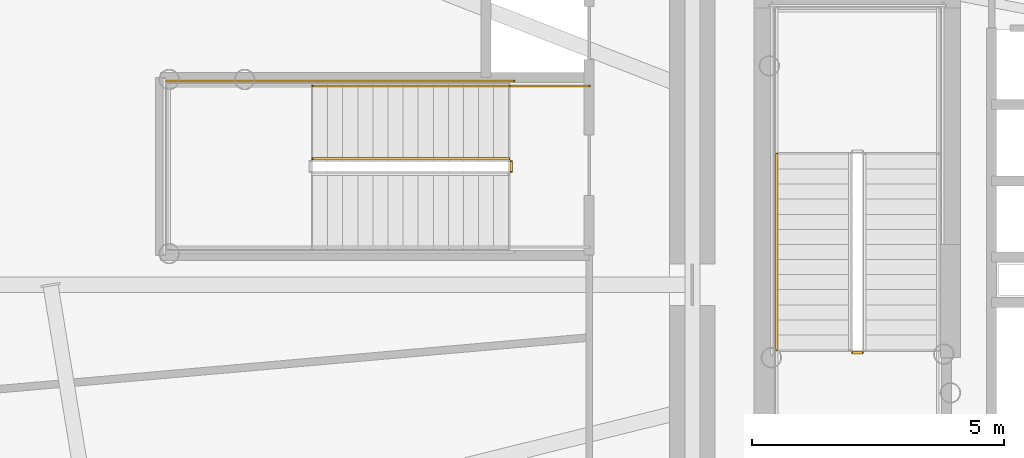
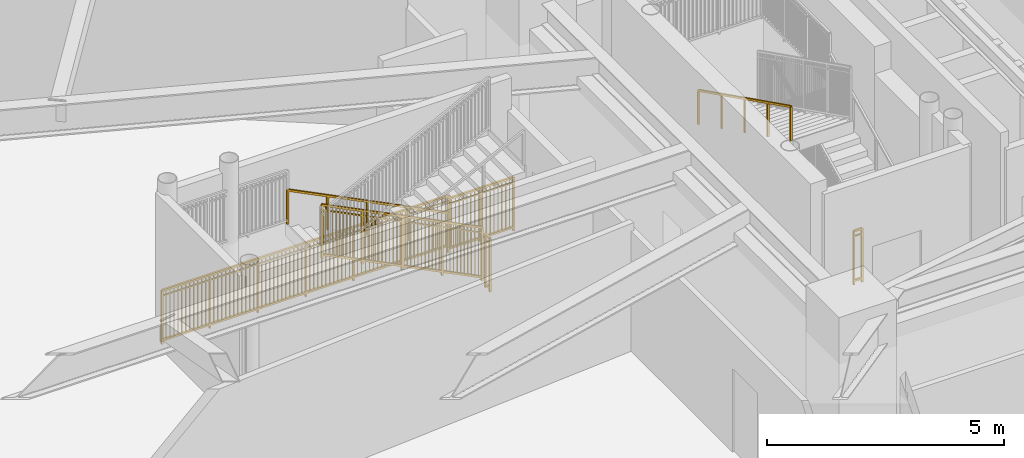
# One storey, part 23 of 31: 7 railings.
"""IFC4 building model written with IfcOpenShell, lengths in metres."""

from ifc_helpers import new_model, si_unit, direction, frame, origin, origin_2d, place, context, subcontext, project, spatial, rectangle, extrude, source, transform, mapped, material, type_object, element, save


model = new_model("IFC4")

# Units and contexts
model_context = context("Model", 3, precision=1e-05, world=origin(), true_north=direction((0.0, 1.0)))
body_context = subcontext(model_context, "Body", "Model", "MODEL_VIEW")
ifc_project = project(units=[si_unit("LENGTHUNIT", "METRE"), si_unit("AREAUNIT", "SQUARE_METRE"), si_unit("VOLUMEUNIT", "CUBIC_METRE"), si_unit("PLANEANGLEUNIT", "RADIAN"), si_unit("MASSUNIT", "GRAM", prefix="KILO")], contexts=[model_context])

# Site, building, storey
site_placement = place(None, origin())
site = spatial("IfcSite", under=ifc_project, at=site_placement, CompositionType="ELEMENT")
building_placement = place(site_placement, origin())
building = spatial("IfcBuilding", under=site, at=building_placement, Name="Linh Dai School and Residence Tower", CompositionType="ELEMENT")
storey_placement = place(building_placement, frame((0.0, 0.0, 6.0)))
storey = spatial("IfcBuildingStorey", under=building, at=storey_placement, Name="L01", CompositionType="ELEMENT", Elevation=6.0)

# Railings
ifc_material_1 = material(Name="Structural Steel S355JR", Category="steel")
railing_type_1 = type_object("IfcRailingType", Name="RL-ST-GUARD-1400", PredefinedType="GUARDRAIL", material=ifc_material_1)
shared_shape_1 = source(origin(), body_context, "Body", "SweptSolid", [
    extrude(rectangle(XDim=0.048095703125, YDim=0.048095703125, at=origin_2d()), frame((0.0, 0.0, 1.3759765625), z_axis=(-1.0, 0.0, 0.0), x_axis=(0.0, -1.0, 0.0)), (0.0, 0.0, 1.0), 0.199951171875),
    extrude(rectangle(XDim=0.048095703125, YDim=0.048095703125, at=origin_2d()), frame((0.0, 0.0, 0.10009765625), z_axis=(-1.0, 0.0, 0.0), x_axis=(0.0, -1.0, 0.0)), (0.0, 0.0, 1.0), 0.199951171875),
    extrude(rectangle(XDim=0.030029296875, YDim=0.030029296875, at=origin_2d()), frame((0.0, 0.0, 1.239990234375), z_axis=(-1.0, 0.0, 0.0), x_axis=(0.0, -1.0, 0.0)), (0.0, 0.0, 1.0), 0.199951171875),
    extrude(rectangle(XDim=0.0419921875, YDim=0.0419921875, at=origin_2d()), origin(), (0.0, 0.0, 1.0), 1.3759765625),
    extrude(rectangle(XDim=0.0419921875, YDim=0.0419921875, at=origin_2d()), frame((-0.199951171875, 0.0, 0.0)), (0.0, 0.0, 1.0), 1.3759765625),
])
railing_1_placement = place(storey_placement, frame((29.429931640625, 25.64990234375, 0.0)))
element("IfcRailing", 1, at=railing_1_placement, inside=storey, type_object=railing_type_1, Name="L01 ST1 stair guard 7", PredefinedType="GUARDRAIL", context=body_context, shape_type="MappedRepresentation", body=[
    mapped(shared_shape_1, transform((0.0, 0.0, 0.0), x_axis=(1.0, 0.0, 0.0), y_axis=(0.0, 1.0, 0.0), z_axis=(0.0, 0.0, 1.0), scale=1.0)),
])
ifc_material_2 = material(Name="Brushed Stainless Steel Handrail", Category="steel")
railing_type_2 = type_object("IfcRailingType", Name="RL-ST-HANDRAIL-900", PredefinedType="HANDRAIL", material=ifc_material_2)
shared_shape_2 = source(origin(), body_context, "Body", "SweptSolid", [
    extrude(rectangle(XDim=0.048095703125, YDim=0.048095703125, at=origin_2d()), frame((0.0, 0.0, 0.8759765625), z_axis=(0.0, -0.894438388696, 0.447191199406), x_axis=(1.0, 0.0, 0.0)), (0.0, 0.0, 1.0), 4.3603515625),
    extrude(rectangle(XDim=0.0419921875, YDim=0.0419921875, at=origin_2d()), origin(), (0.0, 0.0, 1.0), 0.8759765625),
    extrude(rectangle(XDim=0.0419921875, YDim=0.0419921875, at=origin_2d()), frame((0.0, -0.97509765625, 0.487548828125)), (0.0, 0.0, 1.0), 0.8759765625),
    extrude(rectangle(XDim=0.0419921875, YDim=0.0419921875, at=origin_2d()), frame((0.0, -1.9501953125, 0.97509765625)), (0.0, 0.0, 1.0), 0.8759765625),
    extrude(rectangle(XDim=0.0419921875, YDim=0.0419921875, at=origin_2d()), frame((0.0, -2.925048828125, 1.46240234375)), (0.0, 0.0, 1.0), 0.8759765625),
    extrude(rectangle(XDim=0.0419921875, YDim=0.0419921875, at=origin_2d()), frame((0.0, -3.900146484375, 1.949951171875)), (0.0, 0.0, 1.0), 0.8759765625),
])
railing_2_placement = place(storey_placement, frame((27.72998046875, 29.60009765625, 2.25)))
element("IfcRailing", 2, at=railing_2_placement, inside=storey, type_object=railing_type_2, Name="L01 ST1 stair handrail 2", PredefinedType="HANDRAIL", context=body_context, shape_type="MappedRepresentation", body=[
    mapped(shared_shape_2, transform((0.0, 0.0, 0.0), x_axis=(1.0, 0.0, 0.0), y_axis=(0.0, 1.0, 0.0), z_axis=(0.0, 0.0, 1.0), scale=1.0)),
])
shared_shape_3 = source(origin(), body_context, "Body", "SweptSolid", [
    extrude(rectangle(XDim=0.048095703125, YDim=0.048095703125, at=origin_2d()), frame((0.0, 0.0, 1.3759765625), z_axis=(0.0, -1.0, 0.0), x_axis=(1.0, 0.0, 0.0)), (0.0, 0.0, 1.0), 0.199951171875),
    extrude(rectangle(XDim=0.048095703125, YDim=0.048095703125, at=origin_2d()), frame((0.0, 0.0, 0.10009765625), z_axis=(0.0, -1.0, 0.0), x_axis=(1.0, 0.0, 0.0)), (0.0, 0.0, 1.0), 0.199951171875),
    extrude(rectangle(XDim=0.030029296875, YDim=0.030029296875, at=origin_2d()), frame((0.0, 0.0, 1.239990234375), z_axis=(0.0, -1.0, 0.0), x_axis=(1.0, 0.0, 0.0)), (0.0, 0.0, 1.0), 0.199951171875),
    extrude(rectangle(XDim=0.0419921875, YDim=0.0419921875, at=origin_2d()), origin(), (0.0, 0.0, 1.0), 1.3759765625),
    extrude(rectangle(XDim=0.0419921875, YDim=0.0419921875, at=origin_2d()), frame((0.0, -0.199951171875, 0.0)), (0.0, 0.0, 1.0), 1.3759765625),
])
railing_3_placement = place(storey_placement, frame((22.449951171875, 29.449951171875, 0.0)))
element("IfcRailing", 3, at=railing_3_placement, inside=storey, type_object=railing_type_1, Name="L01 STS1 stair guard 7", PredefinedType="GUARDRAIL", context=body_context, shape_type="MappedRepresentation", body=[
    mapped(shared_shape_3, transform((0.0, 0.0, 0.0), x_axis=(1.0, 0.0, 0.0), y_axis=(0.0, 1.0, 0.0), z_axis=(0.0, 0.0, 1.0), scale=1.0)),
])
shared_shape_4 = source(origin(), body_context, "Body", "SweptSolid", [
    extrude(rectangle(XDim=0.048095703125, YDim=0.048095703125, at=origin_2d()), frame((0.0, 0.0, 1.3759765625), z_axis=(-1.0, 0.0, 0.0), x_axis=(0.0, -1.0, 0.0)), (0.0, 0.0, 1.0), 1.60009765625),
    extrude(rectangle(XDim=0.048095703125, YDim=0.048095703125, at=origin_2d()), frame((0.0, 0.0, 0.10009765625), z_axis=(-1.0, 0.0, 0.0), x_axis=(0.0, -1.0, 0.0)), (0.0, 0.0, 1.0), 1.60009765625),
    extrude(rectangle(XDim=0.030029296875, YDim=0.030029296875, at=origin_2d()), frame((0.0, 0.0, 1.239990234375), z_axis=(-1.0, 0.0, 0.0), x_axis=(0.0, -1.0, 0.0)), (0.0, 0.0, 1.0), 1.60009765625),
    extrude(rectangle(XDim=0.02001953125, YDim=0.02001953125, at=origin_2d()), frame((-0.09423828125, 0.0, 0.10009765625)), (0.0, 0.0, 1.0), 1.251708984375),
    extrude(rectangle(XDim=0.02001953125, YDim=0.02001953125, at=origin_2d()), frame((-0.188232421875, 0.0, 0.10009765625)), (0.0, 0.0, 1.0), 1.251708984375),
    extrude(rectangle(XDim=0.02001953125, YDim=0.02001953125, at=origin_2d()), frame((-0.282470703125, 0.0, 0.10009765625)), (0.0, 0.0, 1.0), 1.251708984375),
    extrude(rectangle(XDim=0.02001953125, YDim=0.02001953125, at=origin_2d()), frame((-0.37646484375, 0.0, 0.10009765625)), (0.0, 0.0, 1.0), 1.251708984375),
    extrude(rectangle(XDim=0.02001953125, YDim=0.02001953125, at=origin_2d()), frame((-0.470703125, 0.0, 0.10009765625)), (0.0, 0.0, 1.0), 1.251708984375),
    extrude(rectangle(XDim=0.02001953125, YDim=0.02001953125, at=origin_2d()), frame((-0.564697265625, 0.0, 0.10009765625)), (0.0, 0.0, 1.0), 1.251708984375),
    extrude(rectangle(XDim=0.02001953125, YDim=0.02001953125, at=origin_2d()), frame((-0.658935546875, 0.0, 0.10009765625)), (0.0, 0.0, 1.0), 1.251708984375),
    extrude(rectangle(XDim=0.02001953125, YDim=0.02001953125, at=origin_2d()), frame((-0.7529296875, 0.0, 0.10009765625)), (0.0, 0.0, 1.0), 1.251708984375),
    extrude(rectangle(XDim=0.02001953125, YDim=0.02001953125, at=origin_2d()), frame((-0.84716796875, 0.0, 0.10009765625)), (0.0, 0.0, 1.0), 1.251708984375),
    extrude(rectangle(XDim=0.02001953125, YDim=0.02001953125, at=origin_2d()), frame((-0.941162109375, 0.0, 0.10009765625)), (0.0, 0.0, 1.0), 1.251708984375),
    extrude(rectangle(XDim=0.02001953125, YDim=0.02001953125, at=origin_2d()), frame((-1.035400390625, 0.0, 0.10009765625)), (0.0, 0.0, 1.0), 1.251708984375),
    extrude(rectangle(XDim=0.02001953125, YDim=0.02001953125, at=origin_2d()), frame((-1.12939453125, 0.0, 0.10009765625)), (0.0, 0.0, 1.0), 1.251708984375),
    extrude(rectangle(XDim=0.02001953125, YDim=0.02001953125, at=origin_2d()), frame((-1.2236328125, 0.0, 0.10009765625)), (0.0, 0.0, 1.0), 1.251708984375),
    extrude(rectangle(XDim=0.02001953125, YDim=0.02001953125, at=origin_2d()), frame((-1.317626953125, 0.0, 0.10009765625)), (0.0, 0.0, 1.0), 1.251708984375),
    extrude(rectangle(XDim=0.02001953125, YDim=0.02001953125, at=origin_2d()), frame((-1.411865234375, 0.0, 0.10009765625)), (0.0, 0.0, 1.0), 1.251708984375),
    extrude(rectangle(XDim=0.02001953125, YDim=0.02001953125, at=origin_2d()), frame((-1.505859375, 0.0, 0.10009765625)), (0.0, 0.0, 1.0), 1.251708984375),
    extrude(rectangle(XDim=0.0419921875, YDim=0.0419921875, at=origin_2d()), origin(), (0.0, 0.0, 1.0), 1.3759765625),
    extrude(rectangle(XDim=0.0419921875, YDim=0.0419921875, at=origin_2d()), frame((-0.800048828125, 0.0, 0.0)), (0.0, 0.0, 1.0), 1.3759765625),
    extrude(rectangle(XDim=0.0419921875, YDim=0.0419921875, at=origin_2d()), frame((-1.60009765625, 0.0, 0.0)), (0.0, 0.0, 1.0), 1.3759765625),
])
railing_4_placement = place(storey_placement, frame((24.0, 30.949951171875, 0.0)))
element("IfcRailing", 4, at=railing_4_placement, inside=storey, type_object=railing_type_1, Name="L01 STS1 stair guard 8", PredefinedType="GUARDRAIL", context=body_context, shape_type="MappedRepresentation", body=[
    mapped(shared_shape_4, transform((0.0, 0.0, 0.0), x_axis=(1.0, 0.0, 0.0), y_axis=(0.0, 1.0, 0.0), z_axis=(0.0, 0.0, 1.0), scale=1.0)),
])
shared_shape_5 = source(origin(), body_context, "Body", "SweptSolid", [
    extrude(rectangle(XDim=0.048095703125, YDim=0.048095703125, at=origin_2d()), frame((0.0, 0.0, 1.3759765625), z_axis=(-0.894404793364, 0.0, 0.447258387967), x_axis=(0.0, -1.0, 0.0)), (0.0, 0.0, 1.0), 4.3603515625),
    extrude(rectangle(XDim=0.048095703125, YDim=0.048095703125, at=origin_2d()), frame((0.0, 0.0, 0.10009765625), z_axis=(-0.894404793364, 0.0, 0.447258387967), x_axis=(0.0, -1.0, 0.0)), (0.0, 0.0, 1.0), 4.3603515625),
    extrude(rectangle(XDim=0.030029296875, YDim=0.030029296875, at=origin_2d()), frame((0.0, 0.0, 1.239990234375), z_axis=(-0.894404793364, 0.0, 0.447258387967), x_axis=(0.0, -1.0, 0.0)), (0.0, 0.0, 1.0), 4.3603515625),
    extrude(rectangle(XDim=0.02001953125, YDim=0.02001953125, at=origin_2d()), frame((-0.086669921875, 0.0, 0.1435546875)), (0.0, 0.0, 1.0), 1.251708984375),
    extrude(rectangle(XDim=0.02001953125, YDim=0.02001953125, at=origin_2d()), frame((-0.17333984375, 0.0, 0.186767578125)), (0.0, 0.0, 1.0), 1.251708984375),
    extrude(rectangle(XDim=0.02001953125, YDim=0.02001953125, at=origin_2d()), frame((-0.260009765625, 0.0, 0.230224609375)), (0.0, 0.0, 1.0), 1.251708984375),
    extrude(rectangle(XDim=0.02001953125, YDim=0.02001953125, at=origin_2d()), frame((-0.3466796875, 0.0, 0.2734375)), (0.0, 0.0, 1.0), 1.251708984375),
    extrude(rectangle(XDim=0.02001953125, YDim=0.02001953125, at=origin_2d()), frame((-0.433349609375, 0.0, 0.31689453125)), (0.0, 0.0, 1.0), 1.251708984375),
    extrude(rectangle(XDim=0.02001953125, YDim=0.02001953125, at=origin_2d()), frame((-0.52001953125, 0.0, 0.360107421875)), (0.0, 0.0, 1.0), 1.251708984375),
    extrude(rectangle(XDim=0.02001953125, YDim=0.02001953125, at=origin_2d()), frame((-0.606689453125, 0.0, 0.403564453125)), (0.0, 0.0, 1.0), 1.251708984375),
    extrude(rectangle(XDim=0.02001953125, YDim=0.02001953125, at=origin_2d()), frame((-0.693359375, 0.0, 0.44677734375)), (0.0, 0.0, 1.0), 1.251708984375),
    extrude(rectangle(XDim=0.02001953125, YDim=0.02001953125, at=origin_2d()), frame((-0.780029296875, 0.0, 0.490234375)), (0.0, 0.0, 1.0), 1.251708984375),
    extrude(rectangle(XDim=0.02001953125, YDim=0.02001953125, at=origin_2d()), frame((-0.86669921875, 0.0, 0.533447265625)), (0.0, 0.0, 1.0), 1.251708984375),
    extrude(rectangle(XDim=0.02001953125, YDim=0.02001953125, at=origin_2d()), frame((-1.0400390625, 0.0, 0.6201171875)), (0.0, 0.0, 1.0), 1.251708984375),
    extrude(rectangle(XDim=0.02001953125, YDim=0.02001953125, at=origin_2d()), frame((-1.126708984375, 0.0, 0.66357421875)), (0.0, 0.0, 1.0), 1.251708984375),
    extrude(rectangle(XDim=0.02001953125, YDim=0.02001953125, at=origin_2d()), frame((-1.21337890625, 0.0, 0.706787109375)), (0.0, 0.0, 1.0), 1.251708984375),
    extrude(rectangle(XDim=0.02001953125, YDim=0.02001953125, at=origin_2d()), frame((-1.300048828125, 0.0, 0.750244140625)), (0.0, 0.0, 1.0), 1.251708984375),
    extrude(rectangle(XDim=0.02001953125, YDim=0.02001953125, at=origin_2d()), frame((-1.38671875, 0.0, 0.79345703125)), (0.0, 0.0, 1.0), 1.251708984375),
    extrude(rectangle(XDim=0.02001953125, YDim=0.02001953125, at=origin_2d()), frame((-1.473388671875, 0.0, 0.8369140625)), (0.0, 0.0, 1.0), 1.251708984375),
    extrude(rectangle(XDim=0.02001953125, YDim=0.02001953125, at=origin_2d()), frame((-1.56005859375, 0.0, 0.880126953125)), (0.0, 0.0, 1.0), 1.251708984375),
    extrude(rectangle(XDim=0.02001953125, YDim=0.02001953125, at=origin_2d()), frame((-1.646728515625, 0.0, 0.923583984375)), (0.0, 0.0, 1.0), 1.251708984375),
    extrude(rectangle(XDim=0.02001953125, YDim=0.02001953125, at=origin_2d()), frame((-1.7333984375, 0.0, 0.966796875)), (0.0, 0.0, 1.0), 1.251708984375),
    extrude(rectangle(XDim=0.02001953125, YDim=0.02001953125, at=origin_2d()), frame((-1.820068359375, 0.0, 1.01025390625)), (0.0, 0.0, 1.0), 1.251708984375),
    extrude(rectangle(XDim=0.02001953125, YDim=0.02001953125, at=origin_2d()), frame((-1.90673828125, 0.0, 1.053466796875)), (0.0, 0.0, 1.0), 1.251708984375),
    extrude(rectangle(XDim=0.02001953125, YDim=0.02001953125, at=origin_2d()), frame((-1.9931640625, 0.0, 1.096923828125)), (0.0, 0.0, 1.0), 1.251708984375),
    extrude(rectangle(XDim=0.02001953125, YDim=0.02001953125, at=origin_2d()), frame((-2.079833984375, 0.0, 1.14013671875)), (0.0, 0.0, 1.0), 1.251708984375),
    extrude(rectangle(XDim=0.02001953125, YDim=0.02001953125, at=origin_2d()), frame((-2.16650390625, 0.0, 1.18359375)), (0.0, 0.0, 1.0), 1.251708984375),
    extrude(rectangle(XDim=0.02001953125, YDim=0.02001953125, at=origin_2d()), frame((-2.253173828125, 0.0, 1.226806640625)), (0.0, 0.0, 1.0), 1.251708984375),
    extrude(rectangle(XDim=0.02001953125, YDim=0.02001953125, at=origin_2d()), frame((-2.33984375, 0.0, 1.270263671875)), (0.0, 0.0, 1.0), 1.251708984375),
    extrude(rectangle(XDim=0.02001953125, YDim=0.02001953125, at=origin_2d()), frame((-2.426513671875, 0.0, 1.3134765625)), (0.0, 0.0, 1.0), 1.251708984375),
    extrude(rectangle(XDim=0.02001953125, YDim=0.02001953125, at=origin_2d()), frame((-2.51318359375, 0.0, 1.35693359375)), (0.0, 0.0, 1.0), 1.251708984375),
    extrude(rectangle(XDim=0.02001953125, YDim=0.02001953125, at=origin_2d()), frame((-2.599853515625, 0.0, 1.400146484375)), (0.0, 0.0, 1.0), 1.251708984375),
    extrude(rectangle(XDim=0.02001953125, YDim=0.02001953125, at=origin_2d()), frame((-2.6865234375, 0.0, 1.443603515625)), (0.0, 0.0, 1.0), 1.251708984375),
    extrude(rectangle(XDim=0.02001953125, YDim=0.02001953125, at=origin_2d()), frame((-2.773193359375, 0.0, 1.48681640625)), (0.0, 0.0, 1.0), 1.251708984375),
    extrude(rectangle(XDim=0.02001953125, YDim=0.02001953125, at=origin_2d()), frame((-2.85986328125, 0.0, 1.5302734375)), (0.0, 0.0, 1.0), 1.251708984375),
    extrude(rectangle(XDim=0.02001953125, YDim=0.02001953125, at=origin_2d()), frame((-3.033203125, 0.0, 1.616943359375)), (0.0, 0.0, 1.0), 1.251708984375),
    extrude(rectangle(XDim=0.02001953125, YDim=0.02001953125, at=origin_2d()), frame((-3.119873046875, 0.0, 1.66015625)), (0.0, 0.0, 1.0), 1.251708984375),
    extrude(rectangle(XDim=0.02001953125, YDim=0.02001953125, at=origin_2d()), frame((-3.20654296875, 0.0, 1.70361328125)), (0.0, 0.0, 1.0), 1.251708984375),
    extrude(rectangle(XDim=0.02001953125, YDim=0.02001953125, at=origin_2d()), frame((-3.293212890625, 0.0, 1.746826171875)), (0.0, 0.0, 1.0), 1.251708984375),
    extrude(rectangle(XDim=0.02001953125, YDim=0.02001953125, at=origin_2d()), frame((-3.3798828125, 0.0, 1.790283203125)), (0.0, 0.0, 1.0), 1.251708984375),
    extrude(rectangle(XDim=0.02001953125, YDim=0.02001953125, at=origin_2d()), frame((-3.466552734375, 0.0, 1.83349609375)), (0.0, 0.0, 1.0), 1.251708984375),
    extrude(rectangle(XDim=0.02001953125, YDim=0.02001953125, at=origin_2d()), frame((-3.55322265625, 0.0, 1.876953125)), (0.0, 0.0, 1.0), 1.251708984375),
    extrude(rectangle(XDim=0.02001953125, YDim=0.02001953125, at=origin_2d()), frame((-3.639892578125, 0.0, 1.920166015625)), (0.0, 0.0, 1.0), 1.251708984375),
    extrude(rectangle(XDim=0.02001953125, YDim=0.02001953125, at=origin_2d()), frame((-3.7265625, 0.0, 1.963623046875)), (0.0, 0.0, 1.0), 1.251708984375),
    extrude(rectangle(XDim=0.02001953125, YDim=0.02001953125, at=origin_2d()), frame((-3.813232421875, 0.0, 2.0068359375)), (0.0, 0.0, 1.0), 1.251708984375),
    extrude(rectangle(XDim=0.0419921875, YDim=0.0419921875, at=origin_2d()), origin(), (0.0, 0.0, 1.0), 1.3759765625),
    extrude(rectangle(XDim=0.0419921875, YDim=0.0419921875, at=origin_2d()), frame((-0.97509765625, 0.0, 0.487548828125)), (0.0, 0.0, 1.0), 1.3759765625),
    extrude(rectangle(XDim=0.0419921875, YDim=0.0419921875, at=origin_2d()), frame((-1.949951171875, 0.0, 0.97509765625)), (0.0, 0.0, 1.0), 1.3759765625),
    extrude(rectangle(XDim=0.0419921875, YDim=0.0419921875, at=origin_2d()), frame((-2.9248046875, 0.0, 1.462646484375)), (0.0, 0.0, 1.0), 1.3759765625),
    extrude(rectangle(XDim=0.0419921875, YDim=0.0419921875, at=origin_2d()), frame((-3.89990234375, 0.0, 1.9501953125)), (0.0, 0.0, 1.0), 1.3759765625),
])
railing_5_placement = place(storey_placement, frame((22.39990234375, 29.5, 0.14990234375)))
element("IfcRailing", 5, at=railing_5_placement, inside=storey, type_object=railing_type_1, Name="L01 STS1 stair guard 1", PredefinedType="GUARDRAIL", context=body_context, shape_type="MappedRepresentation", body=[
    mapped(shared_shape_5, transform((0.0, 0.0, 0.0), x_axis=(1.0, 0.0, 0.0), y_axis=(0.0, 1.0, 0.0), z_axis=(0.0, 0.0, 1.0), scale=1.0)),
])
shared_shape_6 = source(origin(), body_context, "Body", "SweptSolid", [
    extrude(rectangle(XDim=0.048095703125, YDim=0.048095703125, at=origin_2d()), frame((0.0, 0.0, 1.3759765625), z_axis=(-1.0, 0.0, 0.0), x_axis=(0.0, -1.0, 0.0)), (0.0, 0.0, 1.0), 7.0),
    extrude(rectangle(XDim=0.048095703125, YDim=0.048095703125, at=origin_2d()), frame((0.0, 0.0, 0.10009765625), z_axis=(-1.0, 0.0, 0.0), x_axis=(0.0, -1.0, 0.0)), (0.0, 0.0, 1.0), 7.0),
    extrude(rectangle(XDim=0.030029296875, YDim=0.030029296875, at=origin_2d()), frame((0.0, 0.0, 1.239990234375), z_axis=(-1.0, 0.0, 0.0), x_axis=(0.0, -1.0, 0.0)), (0.0, 0.0, 1.0), 7.0),
    extrude(rectangle(XDim=0.02001953125, YDim=0.02001953125, at=origin_2d()), frame((-0.09716796875, 0.0, 0.10009765625)), (0.0, 0.0, 1.0), 1.251708984375),
    extrude(rectangle(XDim=0.02001953125, YDim=0.02001953125, at=origin_2d()), frame((-0.1943359375, 0.0, 0.10009765625)), (0.0, 0.0, 1.0), 1.251708984375),
    extrude(rectangle(XDim=0.02001953125, YDim=0.02001953125, at=origin_2d()), frame((-0.291748046875, 0.0, 0.10009765625)), (0.0, 0.0, 1.0), 1.251708984375),
    extrude(rectangle(XDim=0.02001953125, YDim=0.02001953125, at=origin_2d()), frame((-0.388916015625, 0.0, 0.10009765625)), (0.0, 0.0, 1.0), 1.251708984375),
    extrude(rectangle(XDim=0.02001953125, YDim=0.02001953125, at=origin_2d()), frame((-0.486083984375, 0.0, 0.10009765625)), (0.0, 0.0, 1.0), 1.251708984375),
    extrude(rectangle(XDim=0.02001953125, YDim=0.02001953125, at=origin_2d()), frame((-0.583251953125, 0.0, 0.10009765625)), (0.0, 0.0, 1.0), 1.251708984375),
    extrude(rectangle(XDim=0.02001953125, YDim=0.02001953125, at=origin_2d()), frame((-0.6806640625, 0.0, 0.10009765625)), (0.0, 0.0, 1.0), 1.251708984375),
    extrude(rectangle(XDim=0.02001953125, YDim=0.02001953125, at=origin_2d()), frame((-0.77783203125, 0.0, 0.10009765625)), (0.0, 0.0, 1.0), 1.251708984375),
    extrude(rectangle(XDim=0.02001953125, YDim=0.02001953125, at=origin_2d()), frame((-0.875, 0.0, 0.10009765625)), (0.0, 0.0, 1.0), 1.251708984375),
    extrude(rectangle(XDim=0.02001953125, YDim=0.02001953125, at=origin_2d()), frame((-0.97216796875, 0.0, 0.10009765625)), (0.0, 0.0, 1.0), 1.251708984375),
    extrude(rectangle(XDim=0.02001953125, YDim=0.02001953125, at=origin_2d()), frame((-1.0693359375, 0.0, 0.10009765625)), (0.0, 0.0, 1.0), 1.251708984375),
    extrude(rectangle(XDim=0.02001953125, YDim=0.02001953125, at=origin_2d()), frame((-1.263916015625, 0.0, 0.10009765625)), (0.0, 0.0, 1.0), 1.251708984375),
    extrude(rectangle(XDim=0.02001953125, YDim=0.02001953125, at=origin_2d()), frame((-1.361083984375, 0.0, 0.10009765625)), (0.0, 0.0, 1.0), 1.251708984375),
    extrude(rectangle(XDim=0.02001953125, YDim=0.02001953125, at=origin_2d()), frame((-1.458251953125, 0.0, 0.10009765625)), (0.0, 0.0, 1.0), 1.251708984375),
    extrude(rectangle(XDim=0.02001953125, YDim=0.02001953125, at=origin_2d()), frame((-1.5556640625, 0.0, 0.10009765625)), (0.0, 0.0, 1.0), 1.251708984375),
    extrude(rectangle(XDim=0.02001953125, YDim=0.02001953125, at=origin_2d()), frame((-1.65283203125, 0.0, 0.10009765625)), (0.0, 0.0, 1.0), 1.251708984375),
    extrude(rectangle(XDim=0.02001953125, YDim=0.02001953125, at=origin_2d()), frame((-1.75, 0.0, 0.10009765625)), (0.0, 0.0, 1.0), 1.251708984375),
    extrude(rectangle(XDim=0.02001953125, YDim=0.02001953125, at=origin_2d()), frame((-1.84716796875, 0.0, 0.10009765625)), (0.0, 0.0, 1.0), 1.251708984375),
    extrude(rectangle(XDim=0.02001953125, YDim=0.02001953125, at=origin_2d()), frame((-1.9443359375, 0.0, 0.10009765625)), (0.0, 0.0, 1.0), 1.251708984375),
    extrude(rectangle(XDim=0.02001953125, YDim=0.02001953125, at=origin_2d()), frame((-2.041748046875, 0.0, 0.10009765625)), (0.0, 0.0, 1.0), 1.251708984375),
    extrude(rectangle(XDim=0.02001953125, YDim=0.02001953125, at=origin_2d()), frame((-2.138916015625, 0.0, 0.10009765625)), (0.0, 0.0, 1.0), 1.251708984375),
    extrude(rectangle(XDim=0.02001953125, YDim=0.02001953125, at=origin_2d()), frame((-2.236083984375, 0.0, 0.10009765625)), (0.0, 0.0, 1.0), 1.251708984375),
    extrude(rectangle(XDim=0.02001953125, YDim=0.02001953125, at=origin_2d()), frame((-2.4306640625, 0.0, 0.10009765625)), (0.0, 0.0, 1.0), 1.251708984375),
    extrude(rectangle(XDim=0.02001953125, YDim=0.02001953125, at=origin_2d()), frame((-2.52783203125, 0.0, 0.10009765625)), (0.0, 0.0, 1.0), 1.251708984375),
    extrude(rectangle(XDim=0.02001953125, YDim=0.02001953125, at=origin_2d()), frame((-2.625, 0.0, 0.10009765625)), (0.0, 0.0, 1.0), 1.251708984375),
    extrude(rectangle(XDim=0.02001953125, YDim=0.02001953125, at=origin_2d()), frame((-2.72216796875, 0.0, 0.10009765625)), (0.0, 0.0, 1.0), 1.251708984375),
    extrude(rectangle(XDim=0.02001953125, YDim=0.02001953125, at=origin_2d()), frame((-2.8193359375, 0.0, 0.10009765625)), (0.0, 0.0, 1.0), 1.251708984375),
    extrude(rectangle(XDim=0.02001953125, YDim=0.02001953125, at=origin_2d()), frame((-2.916748046875, 0.0, 0.10009765625)), (0.0, 0.0, 1.0), 1.251708984375),
    extrude(rectangle(XDim=0.02001953125, YDim=0.02001953125, at=origin_2d()), frame((-3.013916015625, 0.0, 0.10009765625)), (0.0, 0.0, 1.0), 1.251708984375),
    extrude(rectangle(XDim=0.02001953125, YDim=0.02001953125, at=origin_2d()), frame((-3.111083984375, 0.0, 0.10009765625)), (0.0, 0.0, 1.0), 1.251708984375),
    extrude(rectangle(XDim=0.02001953125, YDim=0.02001953125, at=origin_2d()), frame((-3.208251953125, 0.0, 0.10009765625)), (0.0, 0.0, 1.0), 1.251708984375),
    extrude(rectangle(XDim=0.02001953125, YDim=0.02001953125, at=origin_2d()), frame((-3.3056640625, 0.0, 0.10009765625)), (0.0, 0.0, 1.0), 1.251708984375),
    extrude(rectangle(XDim=0.02001953125, YDim=0.02001953125, at=origin_2d()), frame((-3.40283203125, 0.0, 0.10009765625)), (0.0, 0.0, 1.0), 1.251708984375),
    extrude(rectangle(XDim=0.02001953125, YDim=0.02001953125, at=origin_2d()), frame((-3.59716796875, 0.0, 0.10009765625)), (0.0, 0.0, 1.0), 1.251708984375),
    extrude(rectangle(XDim=0.02001953125, YDim=0.02001953125, at=origin_2d()), frame((-3.6943359375, 0.0, 0.10009765625)), (0.0, 0.0, 1.0), 1.251708984375),
    extrude(rectangle(XDim=0.02001953125, YDim=0.02001953125, at=origin_2d()), frame((-3.791748046875, 0.0, 0.10009765625)), (0.0, 0.0, 1.0), 1.251708984375),
    extrude(rectangle(XDim=0.02001953125, YDim=0.02001953125, at=origin_2d()), frame((-3.888916015625, 0.0, 0.10009765625)), (0.0, 0.0, 1.0), 1.251708984375),
    extrude(rectangle(XDim=0.02001953125, YDim=0.02001953125, at=origin_2d()), frame((-3.986083984375, 0.0, 0.10009765625)), (0.0, 0.0, 1.0), 1.251708984375),
    extrude(rectangle(XDim=0.02001953125, YDim=0.02001953125, at=origin_2d()), frame((-4.083251953125, 0.0, 0.10009765625)), (0.0, 0.0, 1.0), 1.251708984375),
    extrude(rectangle(XDim=0.02001953125, YDim=0.02001953125, at=origin_2d()), frame((-4.1806640625, 0.0, 0.10009765625)), (0.0, 0.0, 1.0), 1.251708984375),
    extrude(rectangle(XDim=0.02001953125, YDim=0.02001953125, at=origin_2d()), frame((-4.27783203125, 0.0, 0.10009765625)), (0.0, 0.0, 1.0), 1.251708984375),
    extrude(rectangle(XDim=0.02001953125, YDim=0.02001953125, at=origin_2d()), frame((-4.375, 0.0, 0.10009765625)), (0.0, 0.0, 1.0), 1.251708984375),
    extrude(rectangle(XDim=0.02001953125, YDim=0.02001953125, at=origin_2d()), frame((-4.47216796875, 0.0, 0.10009765625)), (0.0, 0.0, 1.0), 1.251708984375),
    extrude(rectangle(XDim=0.02001953125, YDim=0.02001953125, at=origin_2d()), frame((-4.5693359375, 0.0, 0.10009765625)), (0.0, 0.0, 1.0), 1.251708984375),
    extrude(rectangle(XDim=0.02001953125, YDim=0.02001953125, at=origin_2d()), frame((-4.763916015625, 0.0, 0.10009765625)), (0.0, 0.0, 1.0), 1.251708984375),
    extrude(rectangle(XDim=0.02001953125, YDim=0.02001953125, at=origin_2d()), frame((-4.861083984375, 0.0, 0.10009765625)), (0.0, 0.0, 1.0), 1.251708984375),
    extrude(rectangle(XDim=0.02001953125, YDim=0.02001953125, at=origin_2d()), frame((-4.958251953125, 0.0, 0.10009765625)), (0.0, 0.0, 1.0), 1.251708984375),
    extrude(rectangle(XDim=0.02001953125, YDim=0.02001953125, at=origin_2d()), frame((-5.0556640625, 0.0, 0.10009765625)), (0.0, 0.0, 1.0), 1.251708984375),
    extrude(rectangle(XDim=0.02001953125, YDim=0.02001953125, at=origin_2d()), frame((-5.15283203125, 0.0, 0.10009765625)), (0.0, 0.0, 1.0), 1.251708984375),
    extrude(rectangle(XDim=0.02001953125, YDim=0.02001953125, at=origin_2d()), frame((-5.25, 0.0, 0.10009765625)), (0.0, 0.0, 1.0), 1.251708984375),
    extrude(rectangle(XDim=0.02001953125, YDim=0.02001953125, at=origin_2d()), frame((-5.34716796875, 0.0, 0.10009765625)), (0.0, 0.0, 1.0), 1.251708984375),
    extrude(rectangle(XDim=0.02001953125, YDim=0.02001953125, at=origin_2d()), frame((-5.4443359375, 0.0, 0.10009765625)), (0.0, 0.0, 1.0), 1.251708984375),
    extrude(rectangle(XDim=0.02001953125, YDim=0.02001953125, at=origin_2d()), frame((-5.541748046875, 0.0, 0.10009765625)), (0.0, 0.0, 1.0), 1.251708984375),
    extrude(rectangle(XDim=0.02001953125, YDim=0.02001953125, at=origin_2d()), frame((-5.638916015625, 0.0, 0.10009765625)), (0.0, 0.0, 1.0), 1.251708984375),
    extrude(rectangle(XDim=0.02001953125, YDim=0.02001953125, at=origin_2d()), frame((-5.736083984375, 0.0, 0.10009765625)), (0.0, 0.0, 1.0), 1.251708984375),
    extrude(rectangle(XDim=0.02001953125, YDim=0.02001953125, at=origin_2d()), frame((-5.9306640625, 0.0, 0.10009765625)), (0.0, 0.0, 1.0), 1.251708984375),
    extrude(rectangle(XDim=0.02001953125, YDim=0.02001953125, at=origin_2d()), frame((-6.02783203125, 0.0, 0.10009765625)), (0.0, 0.0, 1.0), 1.251708984375),
    extrude(rectangle(XDim=0.02001953125, YDim=0.02001953125, at=origin_2d()), frame((-6.125, 0.0, 0.10009765625)), (0.0, 0.0, 1.0), 1.251708984375),
    extrude(rectangle(XDim=0.02001953125, YDim=0.02001953125, at=origin_2d()), frame((-6.22216796875, 0.0, 0.10009765625)), (0.0, 0.0, 1.0), 1.251708984375),
    extrude(rectangle(XDim=0.02001953125, YDim=0.02001953125, at=origin_2d()), frame((-6.3193359375, 0.0, 0.10009765625)), (0.0, 0.0, 1.0), 1.251708984375),
    extrude(rectangle(XDim=0.02001953125, YDim=0.02001953125, at=origin_2d()), frame((-6.416748046875, 0.0, 0.10009765625)), (0.0, 0.0, 1.0), 1.251708984375),
    extrude(rectangle(XDim=0.02001953125, YDim=0.02001953125, at=origin_2d()), frame((-6.513916015625, 0.0, 0.10009765625)), (0.0, 0.0, 1.0), 1.251708984375),
    extrude(rectangle(XDim=0.02001953125, YDim=0.02001953125, at=origin_2d()), frame((-6.611083984375, 0.0, 0.10009765625)), (0.0, 0.0, 1.0), 1.251708984375),
    extrude(rectangle(XDim=0.02001953125, YDim=0.02001953125, at=origin_2d()), frame((-6.708251953125, 0.0, 0.10009765625)), (0.0, 0.0, 1.0), 1.251708984375),
    extrude(rectangle(XDim=0.02001953125, YDim=0.02001953125, at=origin_2d()), frame((-6.8056640625, 0.0, 0.10009765625)), (0.0, 0.0, 1.0), 1.251708984375),
    extrude(rectangle(XDim=0.02001953125, YDim=0.02001953125, at=origin_2d()), frame((-6.90283203125, 0.0, 0.10009765625)), (0.0, 0.0, 1.0), 1.251708984375),
    extrude(rectangle(XDim=0.0419921875, YDim=0.0419921875, at=origin_2d()), origin(), (0.0, 0.0, 1.0), 1.3759765625),
    extrude(rectangle(XDim=0.0419921875, YDim=0.0419921875, at=origin_2d()), frame((-1.166748046875, 0.0, 0.0)), (0.0, 0.0, 1.0), 1.3759765625),
    extrude(rectangle(XDim=0.0419921875, YDim=0.0419921875, at=origin_2d()), frame((-2.333251953125, 0.0, 0.0)), (0.0, 0.0, 1.0), 1.3759765625),
    extrude(rectangle(XDim=0.0419921875, YDim=0.0419921875, at=origin_2d()), frame((-3.5, 0.0, 0.0)), (0.0, 0.0, 1.0), 1.3759765625),
    extrude(rectangle(XDim=0.0419921875, YDim=0.0419921875, at=origin_2d()), frame((-4.666748046875, 0.0, 0.0)), (0.0, 0.0, 1.0), 1.3759765625),
    extrude(rectangle(XDim=0.0419921875, YDim=0.0419921875, at=origin_2d()), frame((-5.833251953125, 0.0, 0.0)), (0.0, 0.0, 1.0), 1.3759765625),
    extrude(rectangle(XDim=0.0419921875, YDim=0.0419921875, at=origin_2d()), frame((-7.0, 0.0, 0.0)), (0.0, 0.0, 1.0), 1.3759765625),
])
railing_6_placement = place(storey_placement, frame((22.5, 31.050048828125, 0.0)))
element("IfcRailing", 6, at=railing_6_placement, inside=storey, type_object=railing_type_1, Name="L01 STS1 stair guard 10", PredefinedType="GUARDRAIL", context=body_context, shape_type="MappedRepresentation", body=[
    mapped(shared_shape_6, transform((0.0, 0.0, 0.0), x_axis=(1.0, 0.0, 0.0), y_axis=(0.0, 1.0, 0.0), z_axis=(0.0, 0.0, 1.0), scale=1.0)),
])
shared_shape_7 = source(origin(), body_context, "Body", "SweptSolid", [
    extrude(rectangle(XDim=0.048095703125, YDim=0.048095703125, at=origin_2d()), frame((0.0, 0.0, 0.8759765625), z_axis=(-0.894404793364, 0.0, 0.447258387967), x_axis=(0.0, -1.0, 0.0)), (0.0, 0.0, 1.0), 4.3603515625),
    extrude(rectangle(XDim=0.0419921875, YDim=0.0419921875, at=origin_2d()), origin(), (0.0, 0.0, 1.0), 0.8759765625),
    extrude(rectangle(XDim=0.0419921875, YDim=0.0419921875, at=origin_2d()), frame((-0.97509765625, 0.0, 0.487548828125)), (0.0, 0.0, 1.0), 0.8759765625),
    extrude(rectangle(XDim=0.0419921875, YDim=0.0419921875, at=origin_2d()), frame((-1.949951171875, 0.0, 0.97509765625)), (0.0, 0.0, 1.0), 0.8759765625),
    extrude(rectangle(XDim=0.0419921875, YDim=0.0419921875, at=origin_2d()), frame((-2.9248046875, 0.0, 1.462646484375)), (0.0, 0.0, 1.0), 0.8759765625),
    extrude(rectangle(XDim=0.0419921875, YDim=0.0419921875, at=origin_2d()), frame((-3.89990234375, 0.0, 1.9501953125)), (0.0, 0.0, 1.0), 0.8759765625),
])
railing_7_placement = place(storey_placement, frame((22.39990234375, 30.949951171875, 0.14990234375)))
element("IfcRailing", 7, at=railing_7_placement, inside=storey, type_object=railing_type_2, Name="L01 STS1 stair handrail 1", PredefinedType="HANDRAIL", context=body_context, shape_type="MappedRepresentation", body=[
    mapped(shared_shape_7, transform((0.0, 0.0, 0.0), x_axis=(1.0, 0.0, 0.0), y_axis=(0.0, 1.0, 0.0), z_axis=(0.0, 0.0, 1.0), scale=1.0)),
])

save(model, "model.ifc")
